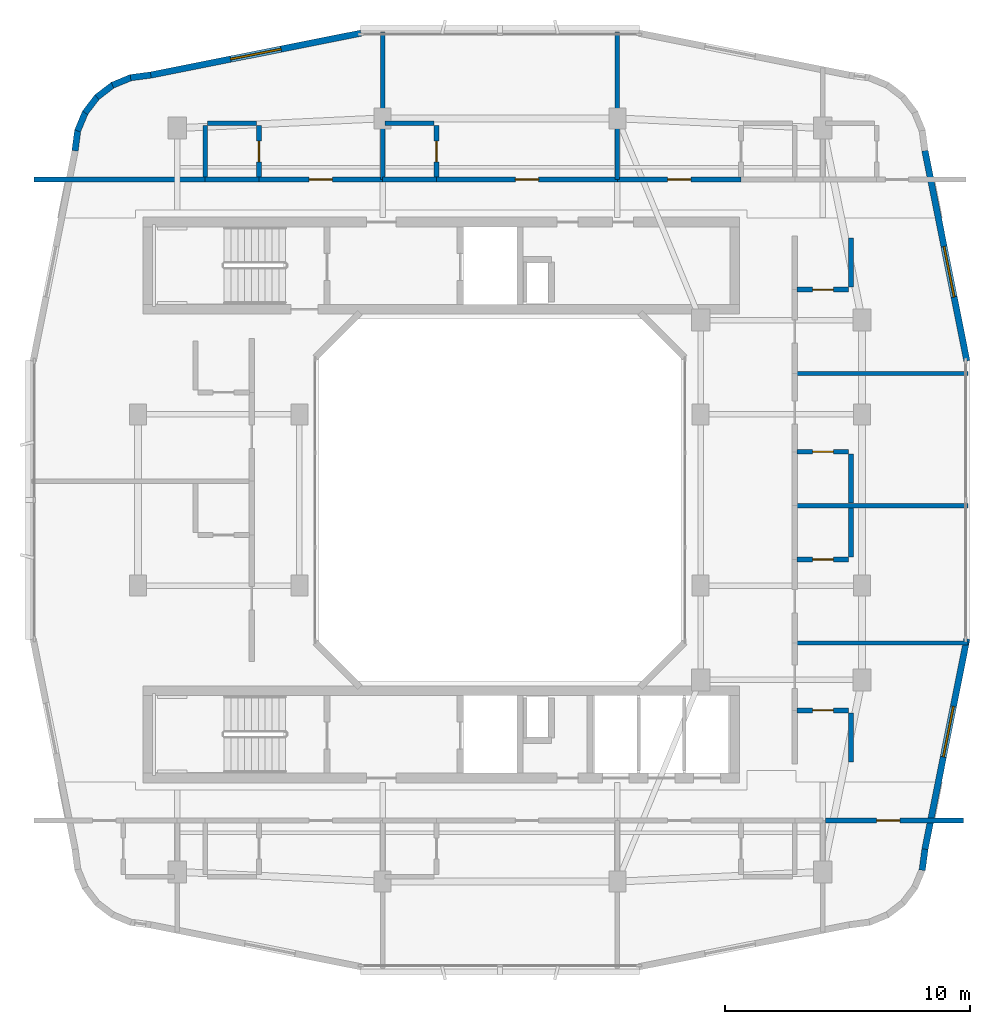
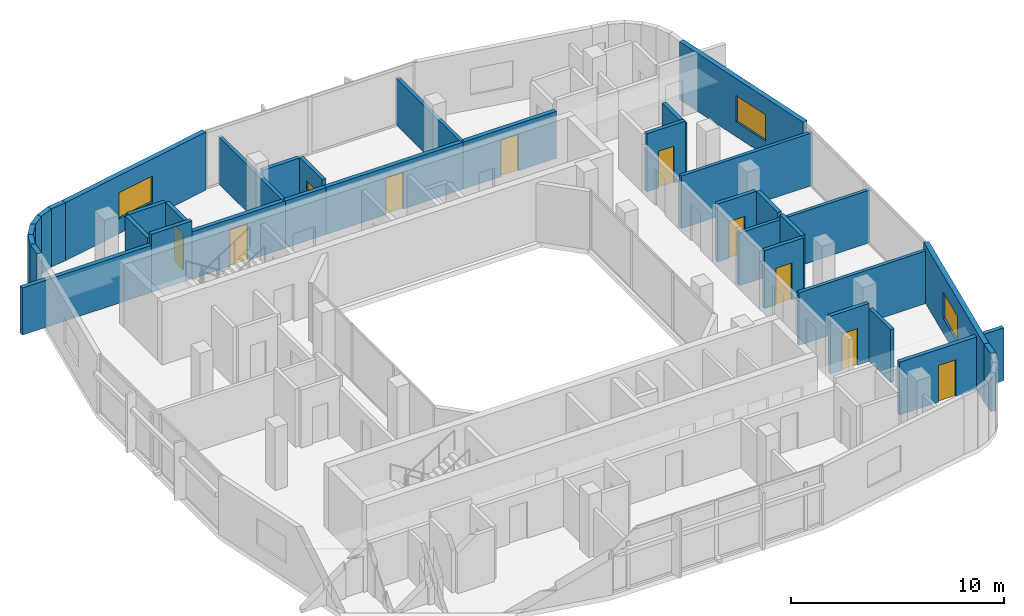
# One storey, part 9 of 14: 35 walls, 10 doors, 3 windows, 13 openings.
"""IFC4 building model written with IfcOpenShell, lengths in metres."""

import ifcopenshell
import ifcopenshell.guid

model = None  # the IFC model being written
_history = None  # IfcOwnerHistory: only IFC2X3 demands one
_inside = {}  # id of a spatial element -> (the spatial element, [elements in it])
_under = {}  # id of a project, library or spatial element -> (it, [spatial elements below it])
_declared = {}  # id of a project -> (the project, [libraries it declares])
_typed = {}  # id of a type object -> (the type object, [elements of that type])
_made_of = {}  # id of a material, layer set ... -> (it, [elements and type objects made of it])


def new_model(schema):
    """Start an empty IFC model of exactly this schema.

    Asked for "IFC4X3", IfcOpenShell would pick the latest addendum, in which some entities
    have other attributes; the version numbers below select the first issue.
    IFC2X3 requires an IfcOwnerHistory on every rooted entity: one is made here for all.
    """
    global model, _history
    if schema == "IFC4X3":
        model = ifcopenshell.file(schema_version=(4, 3, 0, 0))
    else:
        model = ifcopenshell.file(schema=schema)
    _inside.clear()
    _under.clear()
    _declared.clear()
    _typed.clear()
    _made_of.clear()
    _history = None
    if model.schema == "IFC2X3":
        org = make("IfcOrganization", Name="unknown")
        user = make(
            "IfcPersonAndOrganization",
            ThePerson=make("IfcPerson", FamilyName="unknown"),
            TheOrganization=org,
        )
        app = make(
            "IfcApplication",
            ApplicationDeveloper=org,
            Version="unknown",
            ApplicationFullName="unknown",
            ApplicationIdentifier="unknown",
        )
        _history = make(
            "IfcOwnerHistory",
            OwningUser=user,
            OwningApplication=app,
            ChangeAction="ADDED",
            CreationDate=0,
        )
    return model


def make(cls, **values):
    """One entity of the class cls with the attributes given. An attribute that is None is left unset."""
    return model.create_entity(
        cls, **{name: value for name, value in values.items() if value is not None}
    )


def rooted(cls, **values):
    """An entity with a GlobalId (a new one), such as an element, a storey or a relation."""
    return make(cls, GlobalId=ifcopenshell.guid.new(), OwnerHistory=_history, **values)


def si_unit(unit_type, name, prefix=None):
    """IfcSIUnit, for example si_unit("LENGTHUNIT", "METRE", prefix="MILLI")."""
    return make("IfcSIUnit", UnitType=unit_type, Prefix=prefix, Name=name)


def derived_unit(unit_type, elements):
    """IfcDerivedUnit: a product of units, each with its exponent."""
    return make(
        "IfcDerivedUnit",
        Elements=[
            make("IfcDerivedUnitElement", Unit=unit, Exponent=power)
            for unit, power in elements
        ],
        UnitType=unit_type,
    )


def assignment(units):
    """IfcUnitAssignment: the units of a project."""
    return None if units is None else make("IfcUnitAssignment", Units=units)


def point(xyz):
    """IfcCartesianPoint."""
    return None if xyz is None else make("IfcCartesianPoint", Coordinates=xyz)


def direction(xyz):
    """IfcDirection."""
    return None if xyz is None else make("IfcDirection", DirectionRatios=xyz)


def frame(location, z_axis=None, x_axis=None):
    """IfcAxis2Placement3D, a coordinate frame: its origin and axes. An axis left out is left unset."""
    return make(
        "IfcAxis2Placement3D",
        Location=point(location),
        Axis=direction(z_axis),
        RefDirection=direction(x_axis),
    )


def frame_2d(location, x_axis=None):
    """IfcAxis2Placement2D, a coordinate frame in the plane: its origin and x axis."""
    return make(
        "IfcAxis2Placement2D", Location=point(location), RefDirection=direction(x_axis)
    )


def origin():
    """The frame at (0, 0, 0) with its axes left unset."""
    return frame((0.0, 0.0, 0.0))


def place(relative_to, where):
    """IfcLocalPlacement: puts the frame where relative to a parent placement (None: the world)."""
    return make(
        "IfcLocalPlacement", PlacementRelTo=relative_to, RelativePlacement=where
    )


def context(
    kind, dimensions, precision=None, world=None, true_north=None, identifier=None
):
    """IfcGeometricRepresentationContext, for example the 3D "Model" context."""
    return make(
        "IfcGeometricRepresentationContext",
        ContextIdentifier=identifier,
        ContextType=kind,
        CoordinateSpaceDimension=dimensions,
        Precision=precision,
        WorldCoordinateSystem=world,
        TrueNorth=true_north,
    )


def subcontext(parent, identifier, kind, view, scale=None):
    """IfcGeometricRepresentationSubContext, for example "Body" below "Model"."""
    return make(
        "IfcGeometricRepresentationSubContext",
        ContextIdentifier=identifier,
        ContextType=kind,
        ParentContext=parent,
        TargetScale=scale,
        TargetView=view,
    )


def project(units=None, contexts=None):
    """IfcProject with its units and contexts."""
    return rooted(
        "IfcProject",
        Name="project",
        RepresentationContexts=contexts,
        UnitsInContext=assignment(units),
    )


def spatial(cls, under=None, at=None, **own):
    """A site, building, storey or space (cls), placed at a placement, below another one or the project."""
    s = rooted(cls, ObjectPlacement=at, **own)
    if under is not None:
        _under.setdefault(under.id(), (under, []))[1].append(s)
    return s


def profile(cls, at=None, kind="AREA", **sizes):
    """A parametric profile (cls). Its sizes go by their IFC names, for example OverallWidth=200.0."""
    return make(cls, ProfileType=kind, Position=at, **sizes)


def rectangle(**sizes):
    """IfcRectangleProfileDef."""
    return profile("IfcRectangleProfileDef", **sizes)


def extrude(swept, where, along, depth):
    """IfcExtrudedAreaSolid: the profile swept, set in the frame where, extruded along a direction by depth."""
    return make(
        "IfcExtrudedAreaSolid",
        SweptArea=swept,
        Position=where,
        ExtrudedDirection=direction(along),
        Depth=depth,
    )


def shape(context_of_items, identifier, shape_type, items):
    """IfcShapeRepresentation: the items that make up one representation, for example the "Body"."""
    return make(
        "IfcShapeRepresentation",
        ContextOfItems=context_of_items,
        RepresentationIdentifier=identifier,
        RepresentationType=shape_type,
        Items=items,
    )


def material(Name=None, Category=None):
    """IfcMaterial."""
    return make("IfcMaterial", Name=Name, Category=Category)


def layer(
    of_material, thickness, ventilated=None, Name=None, Category=None, Priority=None
):
    """IfcMaterialLayer: one layer of a wall or slab, of a material (None: an air gap)."""
    return make(
        "IfcMaterialLayer",
        Material=of_material,
        LayerThickness=thickness,
        IsVentilated=ventilated,
        Name=Name,
        Category=Category,
        Priority=Priority,
    )


def layer_set(layers, Name=None):
    """IfcMaterialLayerSet."""
    return make("IfcMaterialLayerSet", MaterialLayers=layers, LayerSetName=Name)


def made_of(thing, what):
    """Note that an element or type object is made of a material, layer set ...; save() writes the relation."""
    if what is not None:
        _made_of.setdefault(what.id(), (what, []))[1].append(thing)
    return thing


def type_object(cls, material=None, **own):
    """A type object (cls), such as IfcWallType, which elements share."""
    return made_of(rooted(cls, **own), material)


def element(
    cls,
    number,
    at=None,
    inside=None,
    cuts=None,
    type_object=None,
    material=None,
    context=None,
    identifier="Body",
    shape_type=None,
    held_by="IfcProductDefinitionShape",
    body=None,
    shapes=None,
    **own,
):
    """One element of the class cls, such as IfcWall. Its Tag is "e" and its number.

    at: its placement. inside: the storey or other place that contains it. cuts: it is an
    opening in that element (IfcRelVoidsElement). A single representation is given by context,
    identifier, shape_type and body (its items); several are given by shapes. held_by: the class
    of the entity that holds the representations. save() writes the other relations.
    """
    e = rooted(cls, Tag="e%d" % number, ObjectPlacement=at, **own)
    if body is not None:
        shapes = [shape(context, identifier, shape_type, body)]
    if shapes is not None:
        e.Representation = make(held_by, Representations=shapes)
    if inside is not None:
        _inside.setdefault(inside.id(), (inside, []))[1].append(e)
    if cuts is not None:
        rooted(
            "IfcRelVoidsElement", RelatingBuildingElement=cuts, RelatedOpeningElement=e
        )
    if type_object is not None:
        _typed.setdefault(type_object.id(), (type_object, []))[1].append(e)
    return made_of(e, material)


def fill(opening, filler):
    """IfcRelFillsElement: the door or window that sits in an opening."""
    return rooted(
        "IfcRelFillsElement",
        RelatingOpeningElement=opening,
        RelatedBuildingElement=filler,
    )


def aggregate(whole, parts):
    """IfcRelAggregates: a whole, such as a stair, and the parts it consists of."""
    return rooted("IfcRelAggregates", RelatingObject=whole, RelatedObjects=parts)


def save(model, path):
    """Write the relations noted so far, then the file.

    IfcRelAggregates (storeys below a building ...), IfcRelContainedInSpatialStructure (elements
    in a storey), IfcRelDefinesByType, IfcRelAssociatesMaterial and IfcRelDeclares: one each for
    every whole, place, type object, material and project.
    """
    for whole, parts in _under.values():
        aggregate(whole, parts)
    for where, things in _inside.values():
        rooted(
            "IfcRelContainedInSpatialStructure",
            RelatedElements=things,
            RelatingStructure=where,
        )
    for kind, things in _typed.values():
        rooted("IfcRelDefinesByType", RelatedObjects=things, RelatingType=kind)
    for what, things in _made_of.values():
        rooted("IfcRelAssociatesMaterial", RelatedObjects=things, RelatingMaterial=what)
    for by, libraries in _declared.values():
        rooted("IfcRelDeclares", RelatingContext=by, RelatedDefinitions=libraries)
    model.write(path)


model = new_model("IFC4")

# Units and contexts
model_context = context("Model", 3, precision=1e-05, world=origin(), true_north=direction((0.0, 1.0)))
body_context = subcontext(model_context, "Body", "Model", "MODEL_VIEW")
ifc_project = project(units=[si_unit("LENGTHUNIT", "METRE"), si_unit("AREAUNIT", "SQUARE_METRE"), si_unit("VOLUMEUNIT", "CUBIC_METRE"), si_unit("PLANEANGLEUNIT", "RADIAN"), si_unit("MASSUNIT", "GRAM", prefix="KILO"), derived_unit("THERMALTRANSMITTANCEUNIT", [(si_unit("POWERUNIT", "WATT"), 1), (si_unit("LENGTHUNIT", "METRE"), -2), (si_unit("THERMODYNAMICTEMPERATUREUNIT", "KELVIN"), -1)])], contexts=[model_context])

# Site, building, storey
site_placement = place(None, origin())
site = spatial("IfcSite", under=ifc_project, at=site_placement, CompositionType="ELEMENT")
building_placement = place(site_placement, origin())
building = spatial("IfcBuilding", under=site, at=building_placement, Name="Kivonza Crest Hotel", CompositionType="ELEMENT")
storey_placement = place(building_placement, frame((0.0, 0.0, 224.300048828125)))
storey = spatial("IfcBuildingStorey", under=building, at=storey_placement, Name="L61", CompositionType="ELEMENT", Elevation=224.300048828125)

# Walls
ifc_material_1 = material(Name="High-density acoustic masonry inter-tenancy wall", Category="masonry")
ifc_layer_1 = layer(ifc_material_1, 0.179931640625)
ifc_layer_set_1 = layer_set([ifc_layer_1], Name="High-density acoustic masonry inter-tenancy wall")
wall_type_1 = type_object("IfcWallType", Name="WL-ACOU-180", PredefinedType="SOLIDWALL", material=ifc_layer_set_1)
for number, where, z_axis, x_axis, name in (
    (1, (16.199951171875, 38.10009765625, 0.0), (0.0, 0.0, 1.0), (0.0, 1.0, 0.0), "L61 interior partition WA-L61-T1N-DIV1"),
    (2, (25.800048828125, 38.10009765625, 0.0), (0.0, 0.0, 1.0), (0.0, 1.0, 0.0), "L61 interior partition WA-L61-T1N-DIV2"),
):
    element("IfcWall", number, at=place(storey_placement, frame(where, z_axis=z_axis, x_axis=x_axis)), inside=storey, type_object=wall_type_1, Name=name, PredefinedType="SOLIDWALL", context=body_context, shape_type="SweptSolid", body=[
        extrude(rectangle(XDim=6.039794921875, YDim=0.179931640625, at=frame_2d((3.02001953125, 0.0))), origin(), (0.0, 0.0, 1.0), 2.695068359375),
    ])
wall_1_placement = place(storey_placement, frame((33.050048828125, 19.156005859375, 0.0), z_axis=(0.0, 0.0, 1.0), x_axis=(1.0, 0.0, 0.0)))
element("IfcWall", 3, at=wall_1_placement, inside=storey, type_object=wall_type_1, Name="L61 interior partition WA-L61-T1E-DIV1", PredefinedType="SOLIDWALL", context=body_context, shape_type="SweptSolid", body=[
    extrude(rectangle(XDim=7.072021484375, YDim=0.179931640625, at=frame_2d((3.5361328125, 0.0))), origin(), (0.0, 0.0, 1.0), 3.014892578125),
])
for number, where, z_axis, x_axis, name in (
    (4, (33.050048828125, 24.77197265625, 0.0), (0.0, 0.0, 1.0), (1.0, 0.0, 0.0), "L61 interior partition WA-L61-T1E-DIV2"),
    (5, (33.050048828125, 30.172119140625, 0.0), (0.0, 0.0, 1.0), (1.0, 0.0, 0.0), "L61 interior partition WA-L61-T1E-DIV3"),
):
    element("IfcWall", number, at=place(storey_placement, frame(where, z_axis=z_axis, x_axis=x_axis)), inside=storey, type_object=wall_type_1, Name=name, PredefinedType="SOLIDWALL", context=body_context, shape_type="SweptSolid", body=[
        extrude(rectangle(XDim=7.08984375, YDim=0.179931640625, at=frame_2d((3.544921875, 0.0))), origin(), (0.0, 0.0, 1.0), 3.014892578125),
    ])
ifc_material_2 = material(Name="Autoclaved aerated concrete blockwork", Category="masonry")
ifc_layer_2 = layer(ifc_material_2, 0.219970703125)
ifc_layer_set_2 = layer_set([ifc_layer_2], Name="Autoclaved aerated concrete blockwork")
wall_type_2 = type_object("IfcWallType", Name="WL-ACOU-220", PredefinedType="SOLIDWALL", material=ifc_layer_set_2)
wall_2_placement = place(storey_placement, frame((1.9599609375, 38.10009765625, 0.0), z_axis=(0.0, 0.0, 1.0), x_axis=(1.0, 0.0, 0.0)))
element("IfcWall", 6, at=wall_2_placement, inside=storey, type_object=wall_type_2, Name="L61 interior partition WA-L61-N01-XCORR", PredefinedType="SOLIDWALL", context=body_context, shape_type="SweptSolid", body=[
    extrude(rectangle(XDim=6.989990234375, YDim=0.219970703125, at=frame_2d((3.4951171875, 0.0))), origin(), (0.0, 0.0, 1.0), 2.695068359375),
])
wall_3_placement = place(storey_placement, frame((8.949951171875, 38.10009765625, 0.0), z_axis=(0.0, 0.0, 1.0), x_axis=(1.0, 0.0, 0.0)))
element("IfcWall", 7, at=wall_3_placement, inside=storey, type_object=wall_type_2, Name="L61 interior partition WA-L61-N01-BCORR", PredefinedType="SOLIDWALL", context=body_context, shape_type="SweptSolid", body=[
    extrude(rectangle(XDim=2.199951171875, YDim=0.219970703125, at=frame_2d((1.10009765625, 0.0))), origin(), (0.0, 0.0, 1.0), 3.320068359375),
])

# Wall, opening, door
wall_4_placement = place(storey_placement, frame((11.14990234375, 38.10009765625, 0.0), z_axis=(0.0, 0.0, 1.0), x_axis=(1.0, 0.0, 0.0)))
wall_4 = element("IfcWall", 8, at=wall_4_placement, inside=storey, type_object=wall_type_2, Name="L61 interior partition WA-L61-N01-MCORR", PredefinedType="SOLIDWALL", context=body_context, shape_type="SweptSolid", body=[
    extrude(rectangle(XDim=5.050048828125, YDim=0.219970703125, at=frame_2d((2.52490234375, 0.0))), origin(), (0.0, 0.0, 1.0), 2.695068359375),
])
opening_1_placement = place(wall_4_placement, frame((2.050048828125, 0.0, 0.0)))
opening_1 = element("IfcOpeningElement", 9, at=opening_1_placement, cuts=wall_4, Name="Opening DU-60", PredefinedType="OPENING", context=body_context, shape_type="SweptSolid", body=[
    extrude(rectangle(XDim=0.949951171875, YDim=2.10009765625, at=frame_2d((0.47509765625, 1.050048828125))), frame((0.0, 0.1201171875, 0.0), z_axis=(0.0, -1.0, 0.0), x_axis=(1.0, 0.0, 0.0)), (0.0, 0.0, 1.0), 0.239990234375),
])
ifc_material_3 = material(Name="Hardwood timber oak", Category="wood")
door_type_1 = type_object("IfcDoorType", Name="DR-UNIT-950", OperationType="NOTDEFINED", PredefinedType="DOOR", material=ifc_material_3)
door_1_placement = place(opening_1_placement, origin())
door_1 = element("IfcDoor", 10, at=door_1_placement, inside=storey, type_object=door_type_1, Name="L61 N01 guest unit entrance fire door", OperationType="SINGLE_SWING_LEFT", OverallHeight=2.10009765625, OverallWidth=0.949951171875, PredefinedType="DOOR", context=body_context, shape_type="SweptSolid", body=[
    extrude(rectangle(XDim=0.949951171875, YDim=2.10009765625, at=frame_2d((0.47509765625, 1.050048828125))), frame((0.0, 0.02490234375, 0.0), z_axis=(0.0, -1.0, 0.0), x_axis=(1.0, 0.0, 0.0)), (0.0, 0.0, 1.0), 0.050048828125),
])
fill(opening_1, door_1)

# Wall
wall_5_placement = place(storey_placement, frame((16.199951171875, 38.10009765625, 0.0), z_axis=(0.0, 0.0, 1.0), x_axis=(1.0, 0.0, 0.0)))
element("IfcWall", 11, at=wall_5_placement, inside=storey, type_object=wall_type_2, Name="L61 interior partition WA-L61-N02-BCORR", PredefinedType="SOLIDWALL", context=body_context, shape_type="SweptSolid", body=[
    extrude(rectangle(XDim=2.199951171875, YDim=0.219970703125, at=frame_2d((1.10009765625, 0.0))), origin(), (0.0, 0.0, 1.0), 2.695068359375),
])

# Wall, opening, door
wall_6_placement = place(storey_placement, frame((18.39990234375, 38.10009765625, 0.0), z_axis=(0.0, 0.0, 1.0), x_axis=(1.0, 0.0, 0.0)))
wall_6 = element("IfcWall", 12, at=wall_6_placement, inside=storey, type_object=wall_type_2, Name="L61 interior partition WA-L61-N02-MCORR", PredefinedType="SOLIDWALL", context=body_context, shape_type="SweptSolid", body=[
    extrude(rectangle(XDim=7.400146484375, YDim=0.219970703125, at=frame_2d((3.7001953125, 0.0))), origin(), (0.0, 0.0, 1.0), 2.695068359375),
])
opening_2_placement = place(wall_6_placement, frame((3.22509765625, 0.0, 0.0)))
opening_2 = element("IfcOpeningElement", 13, at=opening_2_placement, cuts=wall_6, Name="Opening DU-60", PredefinedType="OPENING", context=body_context, shape_type="SweptSolid", body=[
    extrude(rectangle(XDim=0.949951171875, YDim=2.10009765625, at=frame_2d((0.47509765625, 1.050048828125))), frame((0.0, 0.1201171875, 0.0), z_axis=(0.0, -1.0, 0.0), x_axis=(1.0, 0.0, 0.0)), (0.0, 0.0, 1.0), 0.239990234375),
])
door_2_placement = place(opening_2_placement, origin())
door_2 = element("IfcDoor", 14, at=door_2_placement, inside=storey, type_object=door_type_1, Name="L61 N02 guest unit entrance fire door", OperationType="SINGLE_SWING_RIGHT", OverallHeight=2.10009765625, OverallWidth=0.949951171875, PredefinedType="DOOR", context=body_context, shape_type="SweptSolid", body=[
    extrude(rectangle(XDim=0.949951171875, YDim=2.10009765625, at=frame_2d((0.47509765625, 1.050048828125))), frame((0.0, 0.02490234375, 0.0), z_axis=(0.0, -1.0, 0.0), x_axis=(1.0, 0.0, 0.0)), (0.0, 0.0, 1.0), 0.050048828125),
])
fill(opening_2, door_2)

wall_7_placement = place(storey_placement, frame((25.800048828125, 38.10009765625, 0.0), z_axis=(0.0, 0.0, 1.0), x_axis=(1.0, 0.0, 0.0)))
wall_7 = element("IfcWall", 15, at=wall_7_placement, inside=storey, type_object=wall_type_2, Name="L61 interior partition WA-L61-N03-MCORR", PredefinedType="SOLIDWALL", context=body_context, shape_type="SweptSolid", body=[
    extrude(rectangle(XDim=5.050048828125, YDim=0.219970703125, at=frame_2d((2.52490234375, 0.0))), origin(), (0.0, 0.0, 1.0), 2.695068359375),
])
opening_3_placement = place(wall_7_placement, frame((2.050048828125, 0.0, 0.0)))
opening_3 = element("IfcOpeningElement", 16, at=opening_3_placement, cuts=wall_7, Name="Opening DU-60", PredefinedType="OPENING", context=body_context, shape_type="SweptSolid", body=[
    extrude(rectangle(XDim=0.949951171875, YDim=2.10009765625, at=frame_2d((0.47509765625, 1.050048828125))), frame((0.0, 0.1201171875, 0.0), z_axis=(0.0, -1.0, 0.0), x_axis=(1.0, 0.0, 0.0)), (0.0, 0.0, 1.0), 0.239990234375),
])
door_3_placement = place(opening_3_placement, origin())
door_3 = element("IfcDoor", 17, at=door_3_placement, inside=storey, type_object=door_type_1, Name="L61 N03 guest unit entrance fire door", OperationType="SINGLE_SWING_LEFT", OverallHeight=2.10009765625, OverallWidth=0.949951171875, PredefinedType="DOOR", context=body_context, shape_type="SweptSolid", body=[
    extrude(rectangle(XDim=0.949951171875, YDim=2.10009765625, at=frame_2d((0.47509765625, 1.050048828125))), frame((0.0, 0.02490234375, 0.0), z_axis=(0.0, -1.0, 0.0), x_axis=(1.0, 0.0, 0.0)), (0.0, 0.0, 1.0), 0.050048828125),
])
fill(opening_3, door_3)

wall_8_placement = place(storey_placement, frame((34.300048828125, 11.89990234375, 0.0), z_axis=(0.0, 0.0, 1.0), x_axis=(1.0, 0.0, 0.0)))
wall_8 = element("IfcWall", 18, at=wall_8_placement, inside=storey, type_object=wall_type_2, Name="L61 interior partition WA-L61-BUS-MTG-N", PredefinedType="SOLIDWALL", context=body_context, shape_type="SweptSolid", body=[
    extrude(rectangle(XDim=5.639892578125, YDim=0.219970703125, at=frame_2d((2.81982421875, 0.0))), origin(), (0.0, 0.0, 1.0), 3.014892578125),
])
opening_4_placement = place(wall_8_placement, frame((2.10009765625, 0.0, 0.0)))
opening_4 = element("IfcOpeningElement", 19, at=opening_4_placement, cuts=wall_8, Name="Opening DF-60S", PredefinedType="OPENING", context=body_context, shape_type="SweptSolid", body=[
    extrude(rectangle(XDim=0.949951171875, YDim=2.10009765625, at=frame_2d((0.47509765625, 1.050048828125))), frame((0.0, 0.1201171875, 0.0), z_axis=(0.0, -1.0, 0.0), x_axis=(1.0, 0.0, 0.0)), (0.0, 0.0, 1.0), 0.239990234375),
])
door_type_2 = type_object("IfcDoorType", Name="DR-FD60-950", OperationType="NOTDEFINED", PredefinedType="DOOR", material=ifc_material_3)
door_4_placement = place(opening_4_placement, frame((0.949951171875, 0.0, 0.0), z_axis=(0.0, 0.0, 1.0), x_axis=(-1.0, 0.0, 0.0)))
door_4 = element("IfcDoor", 20, at=door_4_placement, inside=storey, type_object=door_type_2, Name="L61 Floor Beverage Kitchen door", OperationType="SINGLE_SWING_RIGHT", OverallHeight=2.10009765625, OverallWidth=0.949951171875, PredefinedType="DOOR", context=body_context, shape_type="SweptSolid", body=[
    extrude(rectangle(XDim=0.949951171875, YDim=2.10009765625, at=frame_2d((0.47509765625, 1.050048828125))), frame((0.0, 0.02490234375, 0.0), z_axis=(0.0, -1.0, 0.0), x_axis=(1.0, 0.0, 0.0)), (0.0, 0.0, 1.0), 0.050048828125),
])
fill(opening_4, door_4)

# Wall
ifc_material_4 = material(Name="Precast concrete C40/50", Category="concrete")
ifc_layer_3 = layer(ifc_material_4, 0.260009765625)
ifc_layer_set_3 = layer_set([ifc_layer_3], Name="Precast concrete C40/50")
wall_type_3 = type_object("IfcWallType", Name="WL-EXT-260", PredefinedType="STANDARD", material=ifc_layer_set_3)
wall_9_placement = place(storey_placement, frame((38.259033203125, 9.864013671875, 0.0), z_axis=(0.0, 0.0, 1.0), x_axis=(0.130156359936, 0.991493480548, 0.0)))
element("IfcWall", 21, at=wall_9_placement, inside=storey, type_object=wall_type_3, Name="L61 T1 exterior insulated wall 15", PredefinedType="STANDARD", context=body_context, shape_type="SweptSolid", body=[
    extrude(rectangle(XDim=0.868408203125, YDim=0.260009765625, at=frame_2d((0.43408203125, 0.0))), origin(), (0.0, 0.0, 1.0), 3.320068359375),
])

# Wall, opening, window
wall_10_placement = place(storey_placement, frame((38.37109375, 10.717041015625, 0.0), z_axis=(0.0, 0.0, 1.0), x_axis=(0.195291715883, 0.980745199176, 0.0)))
wall_10 = element("IfcWall", 22, at=wall_10_placement, inside=storey, type_object=wall_type_3, Name="L61 T1 exterior insulated wall 16", PredefinedType="STANDARD", context=body_context, shape_type="SweptSolid", body=[
    extrude(rectangle(XDim=8.77099609375, YDim=0.260009765625, at=frame_2d((4.385498046875, 0.0))), origin(), (0.0, 0.0, 1.0), 3.320068359375),
])
opening_5_placement = place(wall_10_placement, frame((3.85498046875, 0.0, 0.85009765625)))
opening_5 = element("IfcOpeningElement", 23, at=opening_5_placement, cuts=wall_10, Name="Opening WN-04", PredefinedType="OPENING", context=body_context, shape_type="SweptSolid", body=[
    extrude(rectangle(XDim=2.10009765625, YDim=1.5, at=frame_2d((1.050048828125, 0.75))), frame((0.0, 0.14013671875, 0.0), z_axis=(0.0, -1.0, 0.0), x_axis=(1.0, 0.0, 0.0)), (0.0, 0.0, 1.0), 0.280029296875),
])
ifc_material_5 = material(Name="Thermally broken bronze aluminium and low-E double glazing", Category="aluminium")
window_type = type_object("IfcWindowType", Name="WN-210x150", PartitioningType="DOUBLE_PANEL_VERTICAL", PredefinedType="WINDOW", material=ifc_material_5)
window_1_placement = place(opening_5_placement, origin())
window_1 = element("IfcWindow", 24, at=window_1_placement, inside=storey, type_object=window_type, Name="L61 T1 facade window 16", OverallHeight=1.5, OverallWidth=2.10009765625, PartitioningType="SINGLE_PANEL", PredefinedType="WINDOW", context=body_context, shape_type="SweptSolid", body=[
    extrude(rectangle(XDim=2.10009765625, YDim=1.5, at=frame_2d((1.050048828125, 0.75))), frame((0.0, 0.030029296875, 0.0), z_axis=(0.0, -1.0, 0.0), x_axis=(1.0, 0.0, 0.0)), (0.0, 0.0, 1.0), 0.06005859375),
])
fill(opening_5, window_1)

wall_11_placement = place(storey_placement, frame((40.083984375, 30.680908203125, 0.0), z_axis=(0.0, 0.0, 1.0), x_axis=(-0.195291715883, 0.980745199176, 0.0)))
wall_11 = element("IfcWall", 25, at=wall_11_placement, inside=storey, type_object=wall_type_3, Name="L61 T1 exterior insulated wall 18", PredefinedType="STANDARD", context=body_context, shape_type="SweptSolid", body=[
    extrude(rectangle(XDim=8.77099609375, YDim=0.260009765625, at=frame_2d((4.385498046875, 0.0))), origin(), (0.0, 0.0, 1.0), 3.320068359375),
])
opening_6_placement = place(wall_11_placement, frame((2.669921875, 0.0, 0.85009765625)))
opening_6 = element("IfcOpeningElement", 26, at=opening_6_placement, cuts=wall_11, Name="Opening WN-04", PredefinedType="OPENING", context=body_context, shape_type="SweptSolid", body=[
    extrude(rectangle(XDim=2.10009765625, YDim=1.5, at=frame_2d((1.050048828125, 0.75))), frame((0.0, 0.14013671875, 0.0), z_axis=(0.0, -1.0, 0.0), x_axis=(1.0, 0.0, 0.0)), (0.0, 0.0, 1.0), 0.280029296875),
])
window_2_placement = place(opening_6_placement, origin())
window_2 = element("IfcWindow", 27, at=window_2_placement, inside=storey, type_object=window_type, Name="L61 T1 facade window 18", OverallHeight=1.5, OverallWidth=2.10009765625, PartitioningType="SINGLE_PANEL", PredefinedType="WINDOW", context=body_context, shape_type="SweptSolid", body=[
    extrude(rectangle(XDim=2.10009765625, YDim=1.5, at=frame_2d((1.050048828125, 0.75))), frame((0.0, 0.030029296875, 0.0), z_axis=(0.0, -1.0, 0.0), x_axis=(1.0, 0.0, 0.0)), (0.0, 0.0, 1.0), 0.06005859375),
])
fill(opening_6, window_2)

wall_12_placement = place(storey_placement, frame((15.319091796875, 44.083984375, 0.0), z_axis=(0.0, 0.0, 1.0), x_axis=(-0.980745199176, -0.195291715883, 0.0)))
wall_12 = element("IfcWall", 28, at=wall_12_placement, inside=storey, type_object=wall_type_3, Name="L61 T1 exterior insulated wall 27", PredefinedType="STANDARD", context=body_context, shape_type="SweptSolid", body=[
    extrude(rectangle(XDim=8.77099609375, YDim=0.260009765625, at=frame_2d((4.385498046875, 0.0))), origin(), (0.0, 0.0, 1.0), 3.320068359375),
])
opening_7_placement = place(wall_12_placement, frame((3.3349609375, 0.0, 0.85009765625)))
opening_7 = element("IfcOpeningElement", 29, at=opening_7_placement, cuts=wall_12, Name="Opening WN-04", PredefinedType="OPENING", context=body_context, shape_type="SweptSolid", body=[
    extrude(rectangle(XDim=2.10009765625, YDim=1.5, at=frame_2d((1.050048828125, 0.75))), frame((0.0, 0.14013671875, 0.0), z_axis=(0.0, -1.0, 0.0), x_axis=(1.0, 0.0, 0.0)), (0.0, 0.0, 1.0), 0.280029296875),
])
window_3_placement = place(opening_7_placement, origin())
window_3 = element("IfcWindow", 30, at=window_3_placement, inside=storey, type_object=window_type, Name="L61 T1 facade window 27", OverallHeight=1.5, OverallWidth=2.10009765625, PartitioningType="SINGLE_PANEL", PredefinedType="WINDOW", context=body_context, shape_type="SweptSolid", body=[
    extrude(rectangle(XDim=2.10009765625, YDim=1.5, at=frame_2d((1.050048828125, 0.75))), frame((0.0, 0.030029296875, 0.0), z_axis=(0.0, -1.0, 0.0), x_axis=(1.0, 0.0, 0.0)), (0.0, 0.0, 1.0), 0.06005859375),
])
fill(opening_7, window_3)

# Walls
wall_13_placement = place(storey_placement, frame((6.72509765625, 42.3720703125, 0.0), z_axis=(0.0, 0.0, 1.0), x_axis=(-0.9913883573, -0.130954667764, 0.0)))
element("IfcWall", 31, at=wall_13_placement, inside=storey, type_object=wall_type_3, Name="L61 T1 exterior insulated wall 28", PredefinedType="STANDARD", context=body_context, shape_type="SweptSolid", body=[
    extrude(rectangle(XDim=0.833251953125, YDim=0.260009765625, at=frame_2d((0.41650390625, 0.0))), origin(), (0.0, 0.0, 1.0), 3.320068359375),
])
wall_14_placement = place(storey_placement, frame((5.945068359375, 42.281005859375, 0.0), z_axis=(0.0, 0.0, 1.0), x_axis=(-0.923754491172, -0.382985169477, 0.0)))
element("IfcWall", 32, at=wall_14_placement, inside=storey, type_object=wall_type_3, Name="L61 T1 exterior insulated wall 29", PredefinedType="STANDARD", context=body_context, shape_type="SweptSolid", body=[
    extrude(rectangle(XDim=0.85107421875, YDim=0.260009765625, at=frame_2d((0.425537109375, 0.0))), origin(), (0.0, 0.0, 1.0), 3.320068359375),
])
for number, where, z_axis, x_axis, name in (
    (33, (5.198974609375, 41.98291015625, 0.0), (0.0, 0.0, 1.0), (-0.793999057278, -0.607918988881, 0.0), "L61 T1 exterior insulated wall 30"),
    (34, (4.554931640625, 41.50390625, 0.0), (0.0, 0.0, 1.0), (-0.608057619941, -0.793892896323, 0.0), "L61 T1 exterior insulated wall 31"),
):
    element("IfcWall", number, at=place(storey_placement, frame(where, z_axis=z_axis, x_axis=x_axis)), inside=storey, type_object=wall_type_3, Name=name, PredefinedType="STANDARD", context=body_context, shape_type="SweptSolid", body=[
        extrude(rectangle(XDim=0.85009765625, YDim=0.260009765625, at=frame_2d((0.425048828125, 0.0))), origin(), (0.0, 0.0, 1.0), 3.320068359375),
    ])
wall_15_placement = place(storey_placement, frame((4.05908203125, 40.873046875, 0.0), z_axis=(0.0, 0.0, 1.0), x_axis=(-0.383229930484, -0.923652976167, 0.0)))
element("IfcWall", 35, at=wall_15_placement, inside=storey, type_object=wall_type_3, Name="L61 T1 exterior insulated wall 32", PredefinedType="STANDARD", context=body_context, shape_type="SweptSolid", body=[
    extrude(rectangle(XDim=0.85107421875, YDim=0.260009765625, at=frame_2d((0.425537109375, 0.0))), origin(), (0.0, 0.0, 1.0), 3.320068359375),
])
wall_16_placement = place(storey_placement, frame((3.740966796875, 40.135986328125, 0.0), z_axis=(0.0, 0.0, 1.0), x_axis=(-0.130156359936, -0.991493480548, 0.0)))
element("IfcWall", 36, at=wall_16_placement, inside=storey, type_object=wall_type_3, Name="L61 T1 exterior insulated wall 33", PredefinedType="STANDARD", context=body_context, shape_type="SweptSolid", body=[
    extrude(rectangle(XDim=0.868408203125, YDim=0.260009765625, at=frame_2d((0.43408203125, 0.0))), origin(), (0.0, 0.0, 1.0), 3.320068359375),
])

# Wall, opening, door
ifc_material_6 = material(Name="Moisture-resistant plumbing chase partition wall", Category="gypsum")
ifc_layer_4 = layer(ifc_material_6, 0.199951171875)
ifc_layer_set_4 = layer_set([ifc_layer_4], Name="Moisture-resistant plumbing chase partition wall")
wall_type_4 = type_object("IfcWallType", Name="WL-PLUMB-200", PredefinedType="PLUMBINGWALL", material=ifc_layer_set_4)
wall_17_placement = place(storey_placement, frame((11.14990234375, 38.199951171875, 0.0), z_axis=(0.0, 0.0, 1.0), x_axis=(0.0, 1.0, 0.0)))
wall_17 = element("IfcWall", 37, at=wall_17_placement, inside=storey, type_object=wall_type_4, Name="L61 interior partition WW-L61-N01-BV", PredefinedType="PLUMBINGWALL", context=body_context, shape_type="SweptSolid", body=[
    extrude(rectangle(XDim=2.10009765625, YDim=0.199951171875, at=frame_2d((1.050048828125, 0.0))), origin(), (0.0, 0.0, 1.0), 3.014892578125),
])
opening_8_placement = place(wall_17_placement, frame((0.625, 0.0, 0.0)))
opening_8 = element("IfcOpeningElement", 38, at=opening_8_placement, cuts=wall_17, Name="Opening DI-85", PredefinedType="OPENING", context=body_context, shape_type="SweptSolid", body=[
    extrude(rectangle(XDim=0.85009765625, YDim=2.10009765625, at=frame_2d((0.425048828125, 1.050048828125))), frame((0.0, 0.10986328125, 0.0), z_axis=(0.0, -1.0, 0.0), x_axis=(1.0, 0.0, 0.0)), (0.0, 0.0, 1.0), 0.219970703125),
])
door_type_3 = type_object("IfcDoorType", Name="DR-INT-850", OperationType="NOTDEFINED", PredefinedType="DOOR", material=ifc_material_3)
door_5_placement = place(opening_8_placement, frame((0.85009765625, 0.0, 0.0), z_axis=(0.0, 0.0, 1.0), x_axis=(-1.0, 0.0, 0.0)))
door_5 = element("IfcDoor", 39, at=door_5_placement, inside=storey, type_object=door_type_3, Name="L61 N01 en-suite bathroom door", OperationType="SINGLE_SWING_RIGHT", OverallHeight=2.10009765625, OverallWidth=0.85009765625, PredefinedType="DOOR", context=body_context, shape_type="SweptSolid", body=[
    extrude(rectangle(XDim=0.85009765625, YDim=2.10009765625, at=frame_2d((0.425048828125, 1.050048828125))), frame((0.0, 0.02490234375, 0.0), z_axis=(0.0, -1.0, 0.0), x_axis=(1.0, 0.0, 0.0)), (0.0, 0.0, 1.0), 0.050048828125),
])
fill(opening_8, door_5)

# Walls
wall_18_placement = place(storey_placement, frame((9.050048828125, 40.39990234375, 0.0), z_axis=(0.0, 0.0, 1.0), x_axis=(1.0, 0.0, 0.0)))
element("IfcWall", 40, at=wall_18_placement, inside=storey, type_object=wall_type_4, Name="L61 interior partition WW-L61-N01-BH", PredefinedType="PLUMBINGWALL", context=body_context, shape_type="SweptSolid", body=[
    extrude(rectangle(XDim=2.0, YDim=0.199951171875, at=frame_2d((1.0, 0.0))), origin(), (0.0, 0.0, 1.0), 3.014892578125),
])
wall_19_placement = place(storey_placement, frame((8.949951171875, 38.199951171875, 0.0), z_axis=(0.0, 0.0, 1.0), x_axis=(0.0, 1.0, 0.0)))
element("IfcWall", 41, at=wall_19_placement, inside=storey, type_object=wall_type_4, Name="L61 interior partition WW-L61-N01-BVW", PredefinedType="PLUMBINGWALL", context=body_context, shape_type="SweptSolid", body=[
    extrude(rectangle(XDim=2.10009765625, YDim=0.199951171875, at=frame_2d((1.050048828125, 0.0))), origin(), (0.0, 0.0, 1.0), 3.014892578125),
])

# Wall, opening, door
wall_20_placement = place(storey_placement, frame((18.39990234375, 38.199951171875, 0.0), z_axis=(0.0, 0.0, 1.0), x_axis=(0.0, 1.0, 0.0)))
wall_20 = element("IfcWall", 42, at=wall_20_placement, inside=storey, type_object=wall_type_4, Name="L61 interior partition WW-L61-N02-BV", PredefinedType="PLUMBINGWALL", context=body_context, shape_type="SweptSolid", body=[
    extrude(rectangle(XDim=2.10009765625, YDim=0.199951171875, at=frame_2d((1.050048828125, 0.0))), origin(), (0.0, 0.0, 1.0), 3.054931640625),
])
opening_9_placement = place(wall_20_placement, frame((0.625, 0.0, 0.0)))
opening_9 = element("IfcOpeningElement", 43, at=opening_9_placement, cuts=wall_20, Name="Opening DI-85", PredefinedType="OPENING", context=body_context, shape_type="SweptSolid", body=[
    extrude(rectangle(XDim=0.85009765625, YDim=2.10009765625, at=frame_2d((0.425048828125, 1.050048828125))), frame((0.0, 0.10986328125, 0.0), z_axis=(0.0, -1.0, 0.0), x_axis=(1.0, 0.0, 0.0)), (0.0, 0.0, 1.0), 0.219970703125),
])
door_6_placement = place(opening_9_placement, frame((0.85009765625, 0.0, 0.0), z_axis=(0.0, 0.0, 1.0), x_axis=(-1.0, 0.0, 0.0)))
door_6 = element("IfcDoor", 44, at=door_6_placement, inside=storey, type_object=door_type_3, Name="L61 N02 en-suite bathroom door", OperationType="SINGLE_SWING_LEFT", OverallHeight=2.10009765625, OverallWidth=0.85009765625, PredefinedType="DOOR", context=body_context, shape_type="SweptSolid", body=[
    extrude(rectangle(XDim=0.85009765625, YDim=2.10009765625, at=frame_2d((0.425048828125, 1.050048828125))), frame((0.0, 0.02490234375, 0.0), z_axis=(0.0, -1.0, 0.0), x_axis=(1.0, 0.0, 0.0)), (0.0, 0.0, 1.0), 0.050048828125),
])
fill(opening_9, door_6)

# Wall
wall_21_placement = place(storey_placement, frame((16.300048828125, 40.39990234375, 0.0), z_axis=(0.0, 0.0, 1.0), x_axis=(1.0, 0.0, 0.0)))
element("IfcWall", 45, at=wall_21_placement, inside=storey, type_object=wall_type_4, Name="L61 interior partition WW-L61-N02-BH", PredefinedType="PLUMBINGWALL", context=body_context, shape_type="SweptSolid", body=[
    extrude(rectangle(XDim=2.0, YDim=0.199951171875, at=frame_2d((1.0, 0.0))), origin(), (0.0, 0.0, 1.0), 3.014892578125),
])

# Wall, opening, door
wall_22_placement = place(storey_placement, frame((33.14990234375, 16.39990234375, 0.0), z_axis=(0.0, 0.0, 1.0), x_axis=(1.0, 0.0, 0.0)))
wall_22 = element("IfcWall", 46, at=wall_22_placement, inside=storey, type_object=wall_type_4, Name="L61 interior partition WW-L61-E11-BH", PredefinedType="PLUMBINGWALL", context=body_context, shape_type="SweptSolid", body=[
    extrude(rectangle(XDim=2.10009765625, YDim=0.199951171875, at=frame_2d((1.050048828125, 0.0))), origin(), (0.0, 0.0, 1.0), 3.320068359375),
])
opening_10_placement = place(wall_22_placement, frame((0.625, 0.0, 0.0)))
opening_10 = element("IfcOpeningElement", 47, at=opening_10_placement, cuts=wall_22, Name="Opening DI-85", PredefinedType="OPENING", context=body_context, shape_type="SweptSolid", body=[
    extrude(rectangle(XDim=0.85009765625, YDim=2.10009765625, at=frame_2d((0.425048828125, 1.050048828125))), frame((0.0, 0.10986328125, 0.0), z_axis=(0.0, -1.0, 0.0), x_axis=(1.0, 0.0, 0.0)), (0.0, 0.0, 1.0), 0.219970703125),
])
door_7_placement = place(opening_10_placement, origin())
door_7 = element("IfcDoor", 48, at=door_7_placement, inside=storey, type_object=door_type_3, Name="L61 E11 en-suite bathroom door", OperationType="SINGLE_SWING_RIGHT", OverallHeight=2.10009765625, OverallWidth=0.85009765625, PredefinedType="DOOR", context=body_context, shape_type="SweptSolid", body=[
    extrude(rectangle(XDim=0.85009765625, YDim=2.10009765625, at=frame_2d((0.425048828125, 1.050048828125))), frame((0.0, 0.02490234375, 0.0), z_axis=(0.0, -1.0, 0.0), x_axis=(1.0, 0.0, 0.0)), (0.0, 0.0, 1.0), 0.050048828125),
])
fill(opening_10, door_7)

# Wall
wall_23_placement = place(storey_placement, frame((35.35009765625, 14.300048828125, 0.0), z_axis=(0.0, 0.0, 1.0), x_axis=(0.0, 1.0, 0.0)))
element("IfcWall", 49, at=wall_23_placement, inside=storey, type_object=wall_type_4, Name="L61 interior partition WW-L61-E11-BV", PredefinedType="PLUMBINGWALL", context=body_context, shape_type="SweptSolid", body=[
    extrude(rectangle(XDim=2.0, YDim=0.199951171875, at=frame_2d((1.0, 0.0))), origin(), (0.0, 0.0, 1.0), 3.014892578125),
])

# Wall, opening, door
wall_24_placement = place(storey_placement, frame((33.14990234375, 22.572021484375, 0.0), z_axis=(0.0, 0.0, 1.0), x_axis=(1.0, 0.0, 0.0)))
wall_24 = element("IfcWall", 50, at=wall_24_placement, inside=storey, type_object=wall_type_4, Name="L61 interior partition WW-L61-E12-BH", PredefinedType="PLUMBINGWALL", context=body_context, shape_type="SweptSolid", body=[
    extrude(rectangle(XDim=2.10009765625, YDim=0.199951171875, at=frame_2d((1.050048828125, 0.0))), origin(), (0.0, 0.0, 1.0), 3.320068359375),
])
opening_11_placement = place(wall_24_placement, frame((0.625, 0.0, 0.0)))
opening_11 = element("IfcOpeningElement", 51, at=opening_11_placement, cuts=wall_24, Name="Opening DI-85", PredefinedType="OPENING", context=body_context, shape_type="SweptSolid", body=[
    extrude(rectangle(XDim=0.85009765625, YDim=2.10009765625, at=frame_2d((0.425048828125, 1.050048828125))), frame((0.0, 0.10986328125, 0.0), z_axis=(0.0, -1.0, 0.0), x_axis=(1.0, 0.0, 0.0)), (0.0, 0.0, 1.0), 0.219970703125),
])
door_8_placement = place(opening_11_placement, frame((0.85009765625, 0.0, 0.0), z_axis=(0.0, 0.0, 1.0), x_axis=(-1.0, 0.0, 0.0)))
door_8 = element("IfcDoor", 52, at=door_8_placement, inside=storey, type_object=door_type_3, Name="L61 E12 en-suite bathroom door", OperationType="SINGLE_SWING_LEFT", OverallHeight=2.10009765625, OverallWidth=0.85009765625, PredefinedType="DOOR", context=body_context, shape_type="SweptSolid", body=[
    extrude(rectangle(XDim=0.85009765625, YDim=2.10009765625, at=frame_2d((0.425048828125, 1.050048828125))), frame((0.0, 0.02490234375, 0.0), z_axis=(0.0, -1.0, 0.0), x_axis=(1.0, 0.0, 0.0)), (0.0, 0.0, 1.0), 0.050048828125),
])
fill(opening_11, door_8)

# Wall
wall_25_placement = place(storey_placement, frame((35.35009765625, 22.672119140625, 0.0), z_axis=(0.0, 0.0, 1.0), x_axis=(0.0, 1.0, 0.0)))
element("IfcWall", 53, at=wall_25_placement, inside=storey, type_object=wall_type_4, Name="L61 interior partition WW-L61-E12-BV", PredefinedType="PLUMBINGWALL", context=body_context, shape_type="SweptSolid", body=[
    extrude(rectangle(XDim=2.0, YDim=0.199951171875, at=frame_2d((1.0, 0.0))), origin(), (0.0, 0.0, 1.0), 3.320068359375),
])

# Wall, opening, door
wall_26_placement = place(storey_placement, frame((33.14990234375, 26.971923828125, 0.0), z_axis=(0.0, 0.0, 1.0), x_axis=(1.0, 0.0, 0.0)))
wall_26 = element("IfcWall", 54, at=wall_26_placement, inside=storey, type_object=wall_type_4, Name="L61 interior partition WW-L61-E13-BH", PredefinedType="PLUMBINGWALL", context=body_context, shape_type="SweptSolid", body=[
    extrude(rectangle(XDim=2.10009765625, YDim=0.199951171875, at=frame_2d((1.050048828125, 0.0))), origin(), (0.0, 0.0, 1.0), 3.320068359375),
])
opening_12_placement = place(wall_26_placement, frame((0.625, 0.0, 0.0)))
opening_12 = element("IfcOpeningElement", 55, at=opening_12_placement, cuts=wall_26, Name="Opening DI-85", PredefinedType="OPENING", context=body_context, shape_type="SweptSolid", body=[
    extrude(rectangle(XDim=0.85009765625, YDim=2.10009765625, at=frame_2d((0.425048828125, 1.050048828125))), frame((0.0, 0.10986328125, 0.0), z_axis=(0.0, -1.0, 0.0), x_axis=(1.0, 0.0, 0.0)), (0.0, 0.0, 1.0), 0.219970703125),
])
door_9_placement = place(opening_12_placement, origin())
door_9 = element("IfcDoor", 56, at=door_9_placement, inside=storey, type_object=door_type_3, Name="L61 E13 en-suite bathroom door", OperationType="SINGLE_SWING_RIGHT", OverallHeight=2.10009765625, OverallWidth=0.85009765625, PredefinedType="DOOR", context=body_context, shape_type="SweptSolid", body=[
    extrude(rectangle(XDim=0.85009765625, YDim=2.10009765625, at=frame_2d((0.425048828125, 1.050048828125))), frame((0.0, 0.02490234375, 0.0), z_axis=(0.0, -1.0, 0.0), x_axis=(1.0, 0.0, 0.0)), (0.0, 0.0, 1.0), 0.050048828125),
])
fill(opening_12, door_9)

# Wall
wall_27_placement = place(storey_placement, frame((35.35009765625, 24.8720703125, 0.0), z_axis=(0.0, 0.0, 1.0), x_axis=(0.0, 1.0, 0.0)))
element("IfcWall", 57, at=wall_27_placement, inside=storey, type_object=wall_type_4, Name="L61 interior partition WW-L61-E13-BV", PredefinedType="PLUMBINGWALL", context=body_context, shape_type="SweptSolid", body=[
    extrude(rectangle(XDim=2.0, YDim=0.199951171875, at=frame_2d((1.0, 0.0))), origin(), (0.0, 0.0, 1.0), 3.320068359375),
])

# Wall, opening, door
wall_28_placement = place(storey_placement, frame((33.14990234375, 33.60009765625, 0.0), z_axis=(0.0, 0.0, 1.0), x_axis=(1.0, 0.0, 0.0)))
wall_28 = element("IfcWall", 58, at=wall_28_placement, inside=storey, type_object=wall_type_4, Name="L61 interior partition WW-L61-E14-BH", PredefinedType="PLUMBINGWALL", context=body_context, shape_type="SweptSolid", body=[
    extrude(rectangle(XDim=2.10009765625, YDim=0.199951171875, at=frame_2d((1.050048828125, 0.0))), origin(), (0.0, 0.0, 1.0), 3.320068359375),
])
opening_13_placement = place(wall_28_placement, frame((0.625, 0.0, 0.0)))
opening_13 = element("IfcOpeningElement", 59, at=opening_13_placement, cuts=wall_28, Name="Opening DI-85", PredefinedType="OPENING", context=body_context, shape_type="SweptSolid", body=[
    extrude(rectangle(XDim=0.85009765625, YDim=2.10009765625, at=frame_2d((0.425048828125, 1.050048828125))), frame((0.0, 0.10986328125, 0.0), z_axis=(0.0, -1.0, 0.0), x_axis=(1.0, 0.0, 0.0)), (0.0, 0.0, 1.0), 0.219970703125),
])
door_10_placement = place(opening_13_placement, frame((0.85009765625, 0.0, 0.0), z_axis=(0.0, 0.0, 1.0), x_axis=(-1.0, 0.0, 0.0)))
door_10 = element("IfcDoor", 60, at=door_10_placement, inside=storey, type_object=door_type_3, Name="L61 E14 en-suite bathroom door", OperationType="SINGLE_SWING_LEFT", OverallHeight=2.10009765625, OverallWidth=0.85009765625, PredefinedType="DOOR", context=body_context, shape_type="SweptSolid", body=[
    extrude(rectangle(XDim=0.85009765625, YDim=2.10009765625, at=frame_2d((0.425048828125, 1.050048828125))), frame((0.0, 0.02490234375, 0.0), z_axis=(0.0, -1.0, 0.0), x_axis=(1.0, 0.0, 0.0)), (0.0, 0.0, 1.0), 0.050048828125),
])
fill(opening_13, door_10)

# Wall
wall_29_placement = place(storey_placement, frame((35.35009765625, 33.699951171875, 0.0), z_axis=(0.0, 0.0, 1.0), x_axis=(0.0, 1.0, 0.0)))
element("IfcWall", 61, at=wall_29_placement, inside=storey, type_object=wall_type_4, Name="L61 interior partition WW-L61-E14-BV", PredefinedType="PLUMBINGWALL", context=body_context, shape_type="SweptSolid", body=[
    extrude(rectangle(XDim=2.0, YDim=0.199951171875, at=frame_2d((1.0, 0.0))), origin(), (0.0, 0.0, 1.0), 3.014892578125),
])

save(model, "model.ifc")
